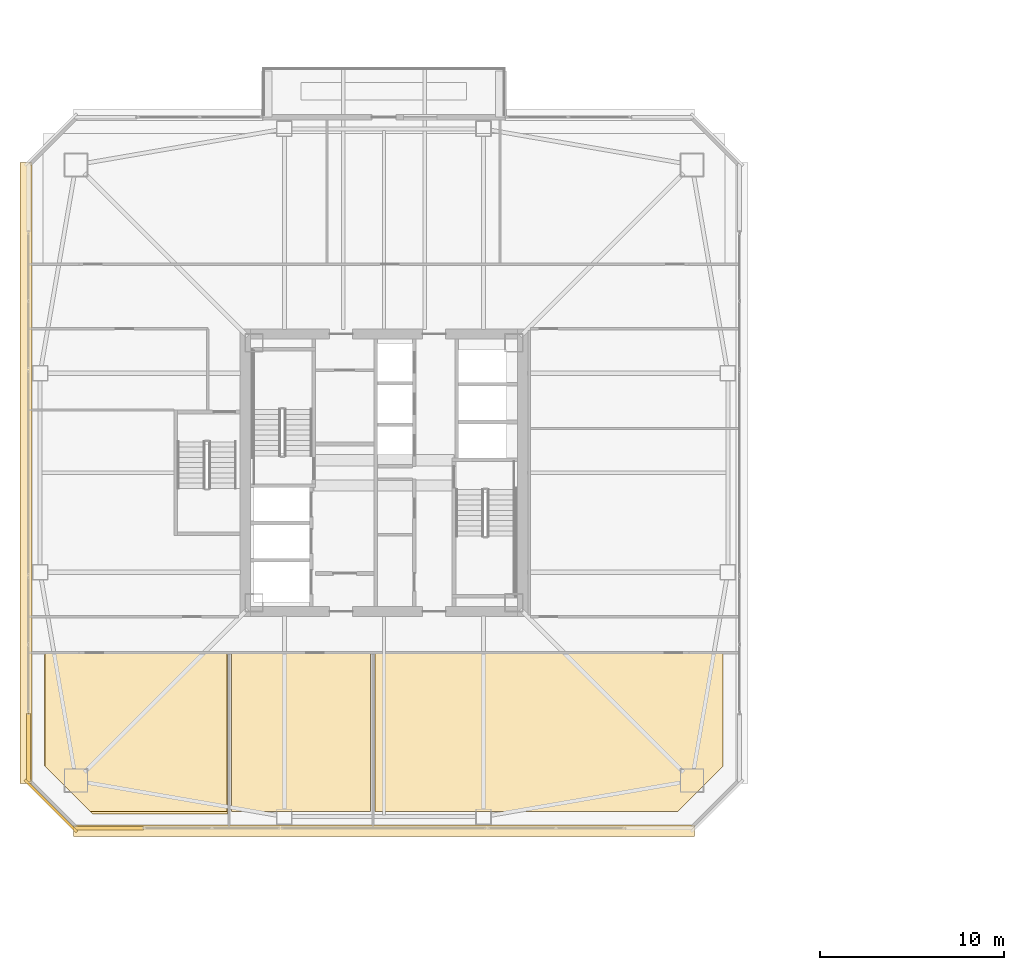
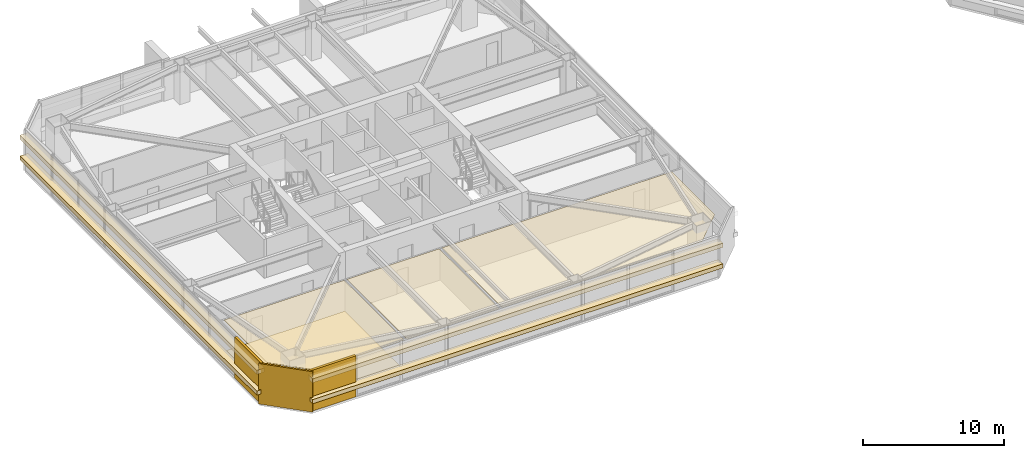
# One storey, part 39 of 44: 11 coverings.
"""IFC4 building model written with IfcOpenShell, lengths in metres."""

import ifcopenshell
import ifcopenshell.guid

model = None  # the IFC model being written
_history = None  # IfcOwnerHistory: only IFC2X3 demands one
_inside = {}  # id of a spatial element -> (the spatial element, [elements in it])
_under = {}  # id of a project, library or spatial element -> (it, [spatial elements below it])
_declared = {}  # id of a project -> (the project, [libraries it declares])
_typed = {}  # id of a type object -> (the type object, [elements of that type])
_made_of = {}  # id of a material, layer set ... -> (it, [elements and type objects made of it])


def new_model(schema):
    """Start an empty IFC model of exactly this schema.

    Asked for "IFC4X3", IfcOpenShell would pick the latest addendum, in which some entities
    have other attributes; the version numbers below select the first issue.
    IFC2X3 requires an IfcOwnerHistory on every rooted entity: one is made here for all.
    """
    global model, _history
    if schema == "IFC4X3":
        model = ifcopenshell.file(schema_version=(4, 3, 0, 0))
    else:
        model = ifcopenshell.file(schema=schema)
    _inside.clear()
    _under.clear()
    _declared.clear()
    _typed.clear()
    _made_of.clear()
    _history = None
    if model.schema == "IFC2X3":
        org = make("IfcOrganization", Name="unknown")
        user = make(
            "IfcPersonAndOrganization",
            ThePerson=make("IfcPerson", FamilyName="unknown"),
            TheOrganization=org,
        )
        app = make(
            "IfcApplication",
            ApplicationDeveloper=org,
            Version="unknown",
            ApplicationFullName="unknown",
            ApplicationIdentifier="unknown",
        )
        _history = make(
            "IfcOwnerHistory",
            OwningUser=user,
            OwningApplication=app,
            ChangeAction="ADDED",
            CreationDate=0,
        )
    return model


def make(cls, **values):
    """One entity of the class cls with the attributes given. An attribute that is None is left unset."""
    return model.create_entity(
        cls, **{name: value for name, value in values.items() if value is not None}
    )


def rooted(cls, **values):
    """An entity with a GlobalId (a new one), such as an element, a storey or a relation."""
    return make(cls, GlobalId=ifcopenshell.guid.new(), OwnerHistory=_history, **values)


def si_unit(unit_type, name, prefix=None):
    """IfcSIUnit, for example si_unit("LENGTHUNIT", "METRE", prefix="MILLI")."""
    return make("IfcSIUnit", UnitType=unit_type, Prefix=prefix, Name=name)


def assignment(units):
    """IfcUnitAssignment: the units of a project."""
    return None if units is None else make("IfcUnitAssignment", Units=units)


def point(xyz):
    """IfcCartesianPoint."""
    return None if xyz is None else make("IfcCartesianPoint", Coordinates=xyz)


def direction(xyz):
    """IfcDirection."""
    return None if xyz is None else make("IfcDirection", DirectionRatios=xyz)


def frame(location, z_axis=None, x_axis=None):
    """IfcAxis2Placement3D, a coordinate frame: its origin and axes. An axis left out is left unset."""
    return make(
        "IfcAxis2Placement3D",
        Location=point(location),
        Axis=direction(z_axis),
        RefDirection=direction(x_axis),
    )


def frame_2d(location, x_axis=None):
    """IfcAxis2Placement2D, a coordinate frame in the plane: its origin and x axis."""
    return make(
        "IfcAxis2Placement2D", Location=point(location), RefDirection=direction(x_axis)
    )


def origin():
    """The frame at (0, 0, 0) with its axes left unset."""
    return frame((0.0, 0.0, 0.0))


def origin_2d():
    """The frame at (0, 0) in the plane with its x axis left unset."""
    return frame_2d((0.0, 0.0))


def place(relative_to, where):
    """IfcLocalPlacement: puts the frame where relative to a parent placement (None: the world)."""
    return make(
        "IfcLocalPlacement", PlacementRelTo=relative_to, RelativePlacement=where
    )


def context(
    kind, dimensions, precision=None, world=None, true_north=None, identifier=None
):
    """IfcGeometricRepresentationContext, for example the 3D "Model" context."""
    return make(
        "IfcGeometricRepresentationContext",
        ContextIdentifier=identifier,
        ContextType=kind,
        CoordinateSpaceDimension=dimensions,
        Precision=precision,
        WorldCoordinateSystem=world,
        TrueNorth=true_north,
    )


def subcontext(parent, identifier, kind, view, scale=None):
    """IfcGeometricRepresentationSubContext, for example "Body" below "Model"."""
    return make(
        "IfcGeometricRepresentationSubContext",
        ContextIdentifier=identifier,
        ContextType=kind,
        ParentContext=parent,
        TargetScale=scale,
        TargetView=view,
    )


def project(units=None, contexts=None):
    """IfcProject with its units and contexts."""
    return rooted(
        "IfcProject",
        Name="project",
        RepresentationContexts=contexts,
        UnitsInContext=assignment(units),
    )


def spatial(cls, under=None, at=None, **own):
    """A site, building, storey or space (cls), placed at a placement, below another one or the project."""
    s = rooted(cls, ObjectPlacement=at, **own)
    if under is not None:
        _under.setdefault(under.id(), (under, []))[1].append(s)
    return s


def polyline(points):
    """IfcPolyline through the points."""
    return make("IfcPolyline", Points=[point(p) for p in points])


def profile(cls, at=None, kind="AREA", **sizes):
    """A parametric profile (cls). Its sizes go by their IFC names, for example OverallWidth=200.0."""
    return make(cls, ProfileType=kind, Position=at, **sizes)


def rectangle(**sizes):
    """IfcRectangleProfileDef."""
    return profile("IfcRectangleProfileDef", **sizes)


def outline(outer, holes=None, kind="AREA"):
    """IfcArbitraryClosedProfileDef: a profile drawn as a closed curve; with holes, ...WithVoids."""
    if holes is None:
        return make("IfcArbitraryClosedProfileDef", ProfileType=kind, OuterCurve=outer)
    return make(
        "IfcArbitraryProfileDefWithVoids",
        ProfileType=kind,
        OuterCurve=outer,
        InnerCurves=holes,
    )


def extrude(swept, where, along, depth):
    """IfcExtrudedAreaSolid: the profile swept, set in the frame where, extruded along a direction by depth."""
    return make(
        "IfcExtrudedAreaSolid",
        SweptArea=swept,
        Position=where,
        ExtrudedDirection=direction(along),
        Depth=depth,
    )


def shape(context_of_items, identifier, shape_type, items):
    """IfcShapeRepresentation: the items that make up one representation, for example the "Body"."""
    return make(
        "IfcShapeRepresentation",
        ContextOfItems=context_of_items,
        RepresentationIdentifier=identifier,
        RepresentationType=shape_type,
        Items=items,
    )


def material(Name=None, Category=None):
    """IfcMaterial."""
    return make("IfcMaterial", Name=Name, Category=Category)


def layer(
    of_material, thickness, ventilated=None, Name=None, Category=None, Priority=None
):
    """IfcMaterialLayer: one layer of a wall or slab, of a material (None: an air gap)."""
    return make(
        "IfcMaterialLayer",
        Material=of_material,
        LayerThickness=thickness,
        IsVentilated=ventilated,
        Name=Name,
        Category=Category,
        Priority=Priority,
    )


def layer_set(layers, Name=None):
    """IfcMaterialLayerSet."""
    return make("IfcMaterialLayerSet", MaterialLayers=layers, LayerSetName=Name)


def made_of(thing, what):
    """Note that an element or type object is made of a material, layer set ...; save() writes the relation."""
    if what is not None:
        _made_of.setdefault(what.id(), (what, []))[1].append(thing)
    return thing


def type_object(cls, material=None, **own):
    """A type object (cls), such as IfcWallType, which elements share."""
    return made_of(rooted(cls, **own), material)


def element(
    cls,
    number,
    at=None,
    inside=None,
    cuts=None,
    type_object=None,
    material=None,
    context=None,
    identifier="Body",
    shape_type=None,
    held_by="IfcProductDefinitionShape",
    body=None,
    shapes=None,
    **own,
):
    """One element of the class cls, such as IfcWall. Its Tag is "e" and its number.

    at: its placement. inside: the storey or other place that contains it. cuts: it is an
    opening in that element (IfcRelVoidsElement). A single representation is given by context,
    identifier, shape_type and body (its items); several are given by shapes. held_by: the class
    of the entity that holds the representations. save() writes the other relations.
    """
    e = rooted(cls, Tag="e%d" % number, ObjectPlacement=at, **own)
    if body is not None:
        shapes = [shape(context, identifier, shape_type, body)]
    if shapes is not None:
        e.Representation = make(held_by, Representations=shapes)
    if inside is not None:
        _inside.setdefault(inside.id(), (inside, []))[1].append(e)
    if cuts is not None:
        rooted(
            "IfcRelVoidsElement", RelatingBuildingElement=cuts, RelatedOpeningElement=e
        )
    if type_object is not None:
        _typed.setdefault(type_object.id(), (type_object, []))[1].append(e)
    return made_of(e, material)


def aggregate(whole, parts):
    """IfcRelAggregates: a whole, such as a stair, and the parts it consists of."""
    return rooted("IfcRelAggregates", RelatingObject=whole, RelatedObjects=parts)


def save(model, path):
    """Write the relations noted so far, then the file.

    IfcRelAggregates (storeys below a building ...), IfcRelContainedInSpatialStructure (elements
    in a storey), IfcRelDefinesByType, IfcRelAssociatesMaterial and IfcRelDeclares: one each for
    every whole, place, type object, material and project.
    """
    for whole, parts in _under.values():
        aggregate(whole, parts)
    for where, things in _inside.values():
        rooted(
            "IfcRelContainedInSpatialStructure",
            RelatedElements=things,
            RelatingStructure=where,
        )
    for kind, things in _typed.values():
        rooted("IfcRelDefinesByType", RelatedObjects=things, RelatingType=kind)
    for what, things in _made_of.values():
        rooted("IfcRelAssociatesMaterial", RelatedObjects=things, RelatingMaterial=what)
    for by, libraries in _declared.values():
        rooted("IfcRelDeclares", RelatingContext=by, RelatedDefinitions=libraries)
    model.write(path)


model = new_model("IFC4")

# Units and contexts
model_context = context("Model", 3, precision=1e-05, world=origin(), true_north=direction((0.0, 1.0)))
body_context = subcontext(model_context, "Body", "Model", "MODEL_VIEW")
ifc_project = project(units=[si_unit("LENGTHUNIT", "METRE"), si_unit("AREAUNIT", "SQUARE_METRE"), si_unit("VOLUMEUNIT", "CUBIC_METRE"), si_unit("PLANEANGLEUNIT", "RADIAN"), si_unit("MASSUNIT", "GRAM", prefix="KILO")], contexts=[model_context])

# Site, building, storey
site_placement = place(None, origin())
site = spatial("IfcSite", under=ifc_project, at=site_placement, CompositionType="ELEMENT")
building_placement = place(site_placement, origin())
building = spatial("IfcBuilding", under=site, at=building_placement, Name="Tashvorn Skyway Center", CompositionType="ELEMENT")
storey_placement = place(building_placement, frame((0.0, 0.0, 149.89990234375)))
storey = spatial("IfcBuildingStorey", under=building, at=storey_placement, Name="L40", CompositionType="ELEMENT", Elevation=149.89990234375)

# Coverings
ifc_material_1 = material(Name="Precast concrete C40/50", Category="concrete")
ifc_layer_1 = layer(ifc_material_1, 0.199951171875)
ifc_layer_set_1 = layer_set([ifc_layer_1], Name="Precast concrete C40/50")
covering_type_1 = type_object("IfcCoveringType", Name="COV-BRACE-CLAD", PredefinedType="CLADDING", material=ifc_layer_set_1)
for number, where, z_axis, x_axis, name in (
    (1, (27.08447265625, 12.719970703125, 0.0), (0.0, 0.0, 1.0), (-1.0, 0.0, 0.0), "Tower 1 L40 South Unitised Curtain Wall Mega-Brace Cladding Band 2"),
    (2, (22.719970703125, 17.08447265625, 0.0), (0.0, 0.0, 1.0), (0.0, 1.0, 0.0), "Tower 1 L40 West Unitised Curtain Wall Mega-Brace Cladding Band 1"),
):
    element("IfcCovering", number, at=place(storey_placement, frame(where, z_axis=z_axis, x_axis=x_axis)), inside=storey, type_object=covering_type_1, Name=name, PredefinedType="CLADDING", context=body_context, shape_type="SweptSolid", body=[
        extrude(rectangle(XDim=3.72900390625, YDim=0.199951171875, at=origin_2d()), origin(), (0.0, 0.0, 1.0), 3.550048828125),
    ])
ifc_material_2 = material(Name="Mineral-fibre acoustic ceiling tile on suspended grid")
ifc_layer_2 = layer(ifc_material_2, 0.02001953125)
ifc_layer_set_2 = layer_set([ifc_layer_2], Name="Mineral-fibre acoustic ceiling tile on suspended grid")
covering_type_2 = type_object("IfcCoveringType", Name="COV-CEIL-20", PredefinedType="CEILING", material=ifc_layer_set_2)
covering_1_placement = place(storey_placement, frame((0.0, 0.0, 2.703125)))
element("IfcCovering", 3, at=covering_1_placement, inside=storey, type_object=covering_type_2, Name="Tower 1 L40 Operations Control Room Acoustic Ceiling", PredefinedType="CEILING", context=body_context, shape_type="SweptSolid", body=[
    extrude(outline(polyline([(23.6201171875, 22.18994140625), (33.47998046875, 22.18994140625), (33.47998046875, 13.6201171875), (26.080078125, 13.6201171875), (23.6201171875, 16.080078125), (23.6201171875, 22.18994140625)])), origin(), (0.0, 0.0, 1.0), 0.02001953125),
])
covering_2_placement = place(storey_placement, frame((0.0, 0.0, 2.703125)))
element("IfcCovering", 4, at=covering_2_placement, inside=storey, type_object=covering_type_2, Name="Tower 1 L40 Boardroom Acoustic Ceiling", PredefinedType="CEILING", context=body_context, shape_type="SweptSolid", body=[
    extrude(outline(polyline([(33.719970703125, 22.18994140625), (41.280029296875, 22.18994140625), (41.280029296875, 13.6201171875), (33.719970703125, 13.6201171875), (33.719970703125, 22.18994140625)])), origin(), (0.0, 0.0, 1.0), 0.02001953125),
])
covering_3_placement = place(storey_placement, frame((0.0, 0.0, 2.703125)))
element("IfcCovering", 5, at=covering_3_placement, inside=storey, type_object=covering_type_2, Name="Tower 1 L40 Boardroom Acoustic Ceiling", PredefinedType="CEILING", context=body_context, shape_type="SweptSolid", body=[
    extrude(outline(polyline([(41.52001953125, 13.6201171875), (41.52001953125, 22.18994140625), (60.3798828125, 22.18994140625), (60.3798828125, 16.080078125), (57.919921875, 13.6201171875), (41.52001953125, 13.6201171875)])), origin(), (0.0, 0.0, 1.0), 0.02001953125),
])
ifc_material_3 = material(Name="Polished Mojave desert-aggregate terrazzo and cover plate")
ifc_layer_3 = layer(ifc_material_3, 0.0400390625)
ifc_layer_set_3 = layer_set([ifc_layer_3], Name="Polished Mojave desert-aggregate terrazzo and cover plate")
covering_type_3 = type_object("IfcCoveringType", Name="COV-FLR-40", PredefinedType="FLOORING", material=ifc_layer_set_3)
covering_4_placement = place(storey_placement, origin())
element("IfcCovering", 6, at=covering_4_placement, inside=storey, type_object=covering_type_3, Name="Tower 1 L40 Operations Control Room Finish Flooring", PredefinedType="FLOORING", context=body_context, shape_type="SweptSolid", body=[
    extrude(outline(polyline([(26.199951171875, 13.5), (23.580078125, 16.1201171875), (23.580078125, 22.14990234375), (33.52001953125, 22.14990234375), (33.52001953125, 13.5), (26.199951171875, 13.5)])), origin(), (0.0, 0.0, 1.0), 0.0400390625),
])
ifc_material_4 = material(Name="Perforated ceramic-coated bronze aluminium solar screen", Category="aluminium")
ifc_layer_4 = layer(ifc_material_4, 0.85009765625)
ifc_layer_set_4 = layer_set([ifc_layer_4], Name="Perforated ceramic-coated bronze aluminium solar screen")
covering_type_4 = type_object("IfcCoveringType", Name="COV-SOLAR-BAND", PredefinedType="CLADDING", material=ifc_layer_set_4)
for number, where, z_axis, x_axis, name in (
    (7, (42.0, 12.580078125, 0.919921875), (0.0, 0.0, 1.0), (-1.0, 0.0, 0.0), "L40 Perforated Ceramic-Metal Solar Screen Louvre Band South 1"),
    (8, (42.0, 12.580078125, 2.72021484375), (0.0, 0.0, 1.0), (-1.0, 0.0, 0.0), "L40 Perforated Ceramic-Metal Solar Screen Louvre Band South 2"),
    (9, (22.580078125, 32.0, 0.919921875), (0.0, 0.0, 1.0), (0.0, 1.0, 0.0), "L40 Perforated Ceramic-Metal Solar Screen Louvre Band West 1"),
    (10, (22.580078125, 32.0, 2.72021484375), (0.0, 0.0, 1.0), (0.0, 1.0, 0.0), "L40 Perforated Ceramic-Metal Solar Screen Louvre Band West 2"),
):
    element("IfcCovering", number, at=place(storey_placement, frame(where, z_axis=z_axis, x_axis=x_axis)), inside=storey, type_object=covering_type_4, Name=name, PredefinedType="CLADDING", context=body_context, shape_type="SweptSolid", body=[
        extrude(rectangle(XDim=33.679931640625, YDim=0.639892578125, at=origin_2d()), origin(), (0.0, 0.0, 1.0), 0.360107421875),
    ])
ifc_layer_5 = layer(ifc_material_1, 0.35009765625)
ifc_layer_set_5 = layer_set([ifc_layer_5], Name="Precast concrete C40/50")
covering_type_5 = type_object("IfcCoveringType", Name="COV-STONE-TRIM", PredefinedType="CLADDING", material=ifc_layer_set_5)
covering_5_placement = place(storey_placement, frame((23.929931640625, 13.929931640625, 0.02001953125), z_axis=(0.0, 0.0, 1.0), x_axis=(-0.707106781187, 0.707106781187, 0.0)))
element("IfcCovering", 11, at=covering_5_placement, inside=storey, type_object=covering_type_5, Name="Tower 1 L40 SW Mojave Limestone Corner Quoin", PredefinedType="CLADDING", context=body_context, shape_type="SweptSolid", body=[
    extrude(rectangle(XDim=3.978515625, YDim=0.139892578125, at=origin_2d()), origin(), (0.0, 0.0, 1.0), 3.510009765625),
])

save(model, "model.ifc")
